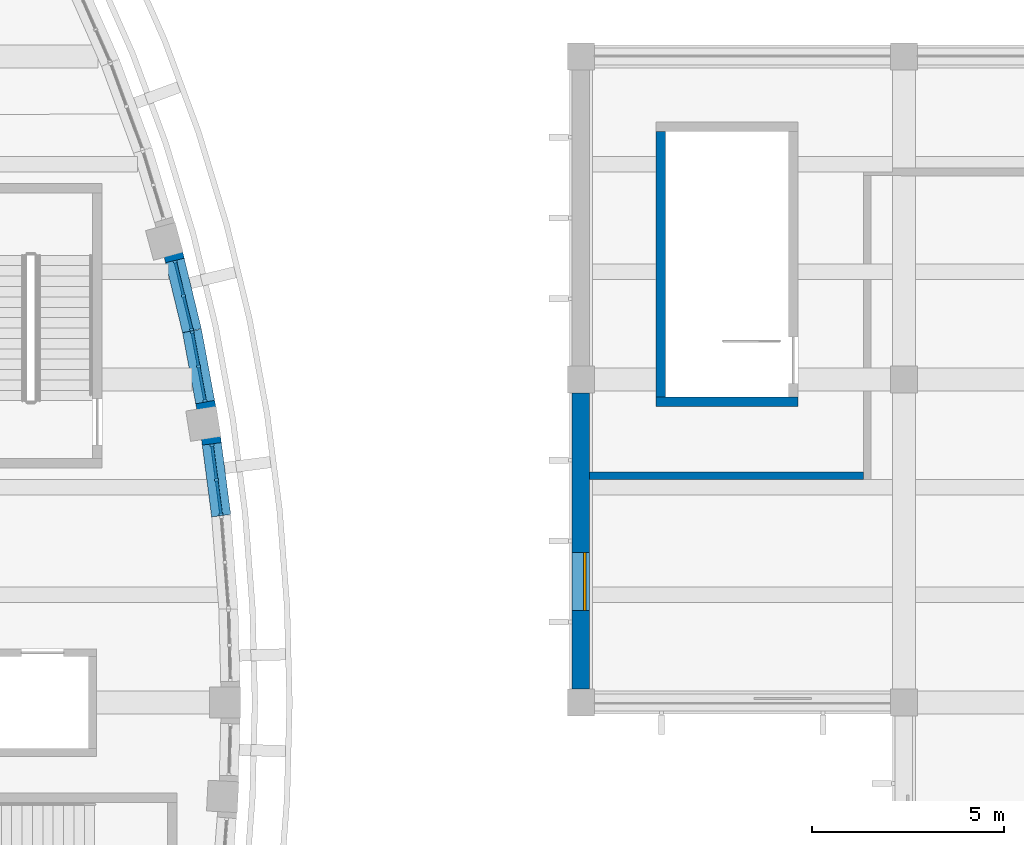
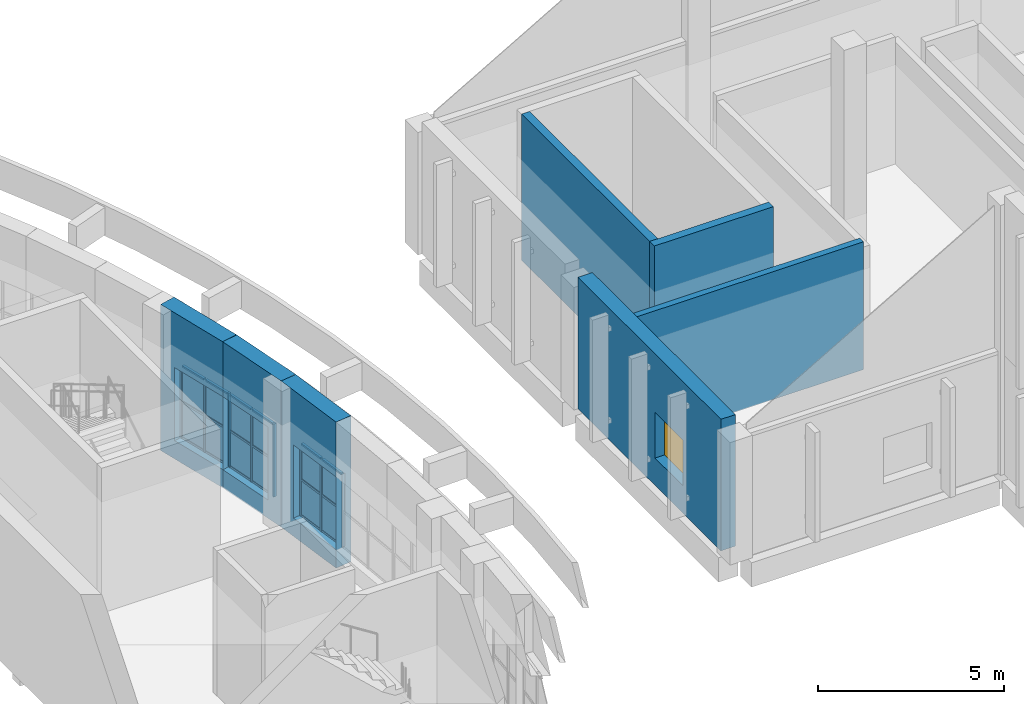
# One storey, part 43 of 79: 27 members, 12 plates, 7 walls, 1 window, 4 openings, 3 elements without a shape of their own.
"""IFC4 building model written with IfcOpenShell, lengths in metres."""

from ifc_helpers import new_model, si_unit, direction, frame, frame_2d, origin, origin_2d, place, context, subcontext, project, spatial, rectangle, extrude, material, layer, layer_set, material_profile, profile_set, type_object, element, fill, aggregate, save


model = new_model("IFC4")

# Units and contexts
model_context = context("Model", 3, precision=1e-05, world=origin(), true_north=direction((0.0, 1.0)))
body_context = subcontext(model_context, "Body", "Model", "MODEL_VIEW")
ifc_project = project(units=[si_unit("LENGTHUNIT", "METRE"), si_unit("AREAUNIT", "SQUARE_METRE"), si_unit("VOLUMEUNIT", "CUBIC_METRE"), si_unit("PLANEANGLEUNIT", "RADIAN"), si_unit("MASSUNIT", "GRAM", prefix="KILO")], contexts=[model_context])

# Site, building, storey
site_placement = place(None, origin())
site = spatial("IfcSite", under=ifc_project, at=site_placement, CompositionType="ELEMENT")
building_placement = place(site_placement, origin())
building = spatial("IfcBuilding", under=site, at=building_placement, Name="Larchfold Concert Hall", CompositionType="ELEMENT")
storey_placement = place(building_placement, frame((0.0, 0.0, 14.39990234375)))
storey = spatial("IfcBuildingStorey", under=building, at=storey_placement, Name="L03", CompositionType="ELEMENT", Elevation=14.39990234375)

# Curtain wall, members
ifc_material_1 = material(Name="Anodised graphite aluminium curtain wall", Category="aluminium")
ifc_layer_1 = layer(ifc_material_1, 0.10009765625)
ifc_layer_set_1 = layer_set([ifc_layer_1], Name="Anodised graphite aluminium curtain wall")
curtain_wall_type = type_object("IfcCurtainWallType", Name="Curtain wall GB", PredefinedType="NOTDEFINED", material=ifc_layer_set_1)
curtain_wall_1_placement = place(storey_placement, origin())
curtain_wall_1 = element("IfcCurtainWall", 1, at=curtain_wall_1_placement, inside=storey, type_object=curtain_wall_type, Name="Curtain wall CW0003", PredefinedType="NOTDEFINED")
ifc_material_2 = material(Name="Anodised graphite aluminium mullion", Category="aluminium")
ifc_material_profile_1 = material_profile(ifc_material_2, rectangle(XDim=0.10009765625, YDim=0.06005859375, at=origin_2d()))
ifc_profile_set_1 = profile_set([ifc_material_profile_1], Name="Anodised graphite aluminium mullion")
member_type_1 = type_object("IfcMemberType", Name="Aluminium mullion 60x100", PredefinedType="MULLION", material=ifc_profile_set_1)
member_1_placement = place(storey_placement, frame((66.8447265625, 89.489501953125, 0.60009765625), z_axis=(0.0, 0.0, 1.0), x_axis=(-0.991547567609, -0.129743674869, 0.0)))
member_1 = element("IfcMember", 2, at=member_1_placement, type_object=member_type_1, Name="CW0003 mullion 1", PredefinedType="MULLION", context=body_context, shape_type="SweptSolid", body=[
    extrude(rectangle(XDim=0.10009765625, YDim=0.06005859375, at=origin_2d()), origin(), (0.0, 0.0, 1.0), 2.39990234375),
])
member_2_placement = place(storey_placement, frame((66.7265625, 90.3935546875, 0.60009765625), z_axis=(0.0, 0.0, 1.0), x_axis=(-0.991547567609, -0.129743674869, 0.0)))
member_2 = element("IfcMember", 3, at=member_2_placement, type_object=member_type_1, Name="CW0003 mullion 2", PredefinedType="MULLION", context=body_context, shape_type="SweptSolid", body=[
    extrude(rectangle(XDim=0.10009765625, YDim=0.06005859375, at=origin_2d()), origin(), (0.0, 0.0, 1.0), 2.39990234375),
])
member_3_placement = place(storey_placement, frame((66.608154296875, 91.297607421875, 0.60009765625), z_axis=(0.0, 0.0, 1.0), x_axis=(-0.991547567609, -0.129743674869, 0.0)))
member_3 = element("IfcMember", 4, at=member_3_placement, type_object=member_type_1, Name="CW0003 mullion 3", PredefinedType="MULLION", context=body_context, shape_type="SweptSolid", body=[
    extrude(rectangle(XDim=0.10009765625, YDim=0.06005859375, at=origin_2d()), origin(), (0.0, 0.0, 1.0), 2.39990234375),
])

curtain_wall_2_placement = place(storey_placement, origin())
curtain_wall_2 = element("IfcCurtainWall", 5, at=curtain_wall_2_placement, inside=storey, type_object=curtain_wall_type, Name="Curtain wall CW0004", PredefinedType="NOTDEFINED")
member_4_placement = place(storey_placement, frame((66.42724609375, 92.443603515625, 0.60009765625), z_axis=(0.0, 0.0, 1.0), x_axis=(-0.983231256801, -0.18236308741, 0.0)))
member_4 = element("IfcMember", 6, at=member_4_placement, type_object=member_type_1, Name="CW0004 mullion 1", PredefinedType="MULLION", context=body_context, shape_type="SweptSolid", body=[
    extrude(rectangle(XDim=0.10009765625, YDim=0.06005859375, at=origin_2d()), origin(), (0.0, 0.0, 1.0), 2.39990234375),
])
member_5_placement = place(storey_placement, frame((66.260986328125, 93.340087890625, 0.60009765625), z_axis=(0.0, 0.0, 1.0), x_axis=(-0.983231256801, -0.18236308741, 0.0)))
member_5 = element("IfcMember", 7, at=member_5_placement, type_object=member_type_1, Name="CW0004 mullion 2", PredefinedType="MULLION", context=body_context, shape_type="SweptSolid", body=[
    extrude(rectangle(XDim=0.10009765625, YDim=0.06005859375, at=origin_2d()), origin(), (0.0, 0.0, 1.0), 2.39990234375),
])
member_6_placement = place(storey_placement, frame((66.094482421875, 94.236572265625, 0.60009765625), z_axis=(0.0, 0.0, 1.0), x_axis=(-0.983231256801, -0.18236308741, 0.0)))
member_6 = element("IfcMember", 8, at=member_6_placement, type_object=member_type_1, Name="CW0004 mullion 3", PredefinedType="MULLION", context=body_context, shape_type="SweptSolid", body=[
    extrude(rectangle(XDim=0.10009765625, YDim=0.06005859375, at=origin_2d()), origin(), (0.0, 0.0, 1.0), 2.39990234375),
])

curtain_wall_3_placement = place(storey_placement, origin())
curtain_wall_3 = element("IfcCurtainWall", 9, at=curtain_wall_3_placement, inside=storey, type_object=curtain_wall_type, Name="Curtain wall CW0005", PredefinedType="NOTDEFINED")
member_7_placement = place(storey_placement, frame((66.08203125, 94.295166015625, 0.60009765625), z_axis=(0.0, 0.0, 1.0), x_axis=(-0.971781721326, -0.235881932534, 0.0)))
member_7 = element("IfcMember", 10, at=member_7_placement, type_object=member_type_1, Name="CW0005 mullion 1", PredefinedType="MULLION", context=body_context, shape_type="SweptSolid", body=[
    extrude(rectangle(XDim=0.10009765625, YDim=0.06005859375, at=origin_2d()), origin(), (0.0, 0.0, 1.0), 2.39990234375),
])
member_8_placement = place(storey_placement, frame((65.866943359375, 95.181396484375, 0.60009765625), z_axis=(0.0, 0.0, 1.0), x_axis=(-0.971781721326, -0.235881932534, 0.0)))
member_8 = element("IfcMember", 11, at=member_8_placement, type_object=member_type_1, Name="CW0005 mullion 2", PredefinedType="MULLION", context=body_context, shape_type="SweptSolid", body=[
    extrude(rectangle(XDim=0.10009765625, YDim=0.06005859375, at=origin_2d()), origin(), (0.0, 0.0, 1.0), 2.39990234375),
])
member_9_placement = place(storey_placement, frame((65.65185546875, 96.067626953125, 0.60009765625), z_axis=(0.0, 0.0, 1.0), x_axis=(-0.971781721326, -0.235881932534, 0.0)))
member_9 = element("IfcMember", 12, at=member_9_placement, type_object=member_type_1, Name="CW0005 mullion 3", PredefinedType="MULLION", context=body_context, shape_type="SweptSolid", body=[
    extrude(rectangle(XDim=0.10009765625, YDim=0.06005859375, at=origin_2d()), origin(), (0.0, 0.0, 1.0), 2.39990234375),
])

# Member
ifc_material_3 = material(Name="Anodised graphite aluminium transom", Category="aluminium")
ifc_material_profile_2 = material_profile(ifc_material_3, rectangle(XDim=0.080078125, YDim=0.06005859375, at=origin_2d()))
ifc_profile_set_2 = profile_set([ifc_material_profile_2], Name="Anodised graphite aluminium transom")
member_type_2 = type_object("IfcMemberType", Name="Aluminium transom 60x80", PredefinedType="USERDEFINED", material=ifc_profile_set_2)
member_10_placement = place(storey_placement, frame((66.8408203125, 89.519287109375, 0.630126953125), z_axis=(-0.129853863511, 0.991533143234, 0.0), x_axis=(-0.991533143234, -0.129853863511, 0.0)))
member_10 = element("IfcMember", 13, at=member_10_placement, type_object=member_type_2, Name="CW0003 transom 1.1", ObjectType="TRANSOM", PredefinedType="USERDEFINED", context=body_context, shape_type="SweptSolid", body=[
    extrude(rectangle(XDim=0.080078125, YDim=0.06005859375, at=origin_2d()), origin(), (0.0, 0.0, 1.0), 0.851806640625),
])

member_11_placement = place(storey_placement, frame((66.8408203125, 89.519287109375, 1.800048828125), z_axis=(-0.129853863511, 0.991533143234, 0.0), x_axis=(-0.991533143234, -0.129853863511, 0.0)))
member_11 = element("IfcMember", 14, at=member_11_placement, type_object=member_type_2, Name="CW0003 transom 1.2", ObjectType="TRANSOM", PredefinedType="USERDEFINED", context=body_context, shape_type="SweptSolid", body=[
    extrude(rectangle(XDim=0.080078125, YDim=0.06005859375, at=origin_2d()), origin(), (0.0, 0.0, 1.0), 0.851806640625),
])

member_12_placement = place(storey_placement, frame((66.8408203125, 89.519287109375, 2.969970703125), z_axis=(-0.129853863511, 0.991533143234, 0.0), x_axis=(-0.991533143234, -0.129853863511, 0.0)))
member_12 = element("IfcMember", 15, at=member_12_placement, type_object=member_type_2, Name="CW0003 transom 1.3", ObjectType="TRANSOM", PredefinedType="USERDEFINED", context=body_context, shape_type="SweptSolid", body=[
    extrude(rectangle(XDim=0.080078125, YDim=0.06005859375, at=origin_2d()), origin(), (0.0, 0.0, 1.0), 0.851806640625),
])

member_13_placement = place(storey_placement, frame((66.72265625, 90.42333984375, 0.630126953125), z_axis=(-0.129853863511, 0.991533143234, 0.0), x_axis=(-0.991533143234, -0.129853863511, 0.0)))
member_13 = element("IfcMember", 16, at=member_13_placement, type_object=member_type_2, Name="CW0003 transom 2.1", ObjectType="TRANSOM", PredefinedType="USERDEFINED", context=body_context, shape_type="SweptSolid", body=[
    extrude(rectangle(XDim=0.080078125, YDim=0.06005859375, at=origin_2d()), origin(), (0.0, 0.0, 1.0), 0.851806640625),
])

member_14_placement = place(storey_placement, frame((66.72265625, 90.42333984375, 1.800048828125), z_axis=(-0.129853863511, 0.991533143234, 0.0), x_axis=(-0.991533143234, -0.129853863511, 0.0)))
member_14 = element("IfcMember", 17, at=member_14_placement, type_object=member_type_2, Name="CW0003 transom 2.2", ObjectType="TRANSOM", PredefinedType="USERDEFINED", context=body_context, shape_type="SweptSolid", body=[
    extrude(rectangle(XDim=0.080078125, YDim=0.06005859375, at=origin_2d()), origin(), (0.0, 0.0, 1.0), 0.851806640625),
])

member_15_placement = place(storey_placement, frame((66.72265625, 90.42333984375, 2.969970703125), z_axis=(-0.129853863511, 0.991533143234, 0.0), x_axis=(-0.991533143234, -0.129853863511, 0.0)))
member_15 = element("IfcMember", 18, at=member_15_placement, type_object=member_type_2, Name="CW0003 transom 2.3", ObjectType="TRANSOM", PredefinedType="USERDEFINED", context=body_context, shape_type="SweptSolid", body=[
    extrude(rectangle(XDim=0.080078125, YDim=0.06005859375, at=origin_2d()), origin(), (0.0, 0.0, 1.0), 0.851806640625),
])

member_16_placement = place(storey_placement, frame((66.421630859375, 92.47314453125, 0.630126953125), z_axis=(-0.182315084835, 0.983240158782, 0.0), x_axis=(-0.983240158782, -0.182315084835, 0.0)))
member_16 = element("IfcMember", 19, at=member_16_placement, type_object=member_type_2, Name="CW0004 transom 1.1", ObjectType="TRANSOM", PredefinedType="USERDEFINED", context=body_context, shape_type="SweptSolid", body=[
    extrude(rectangle(XDim=0.080078125, YDim=0.06005859375, at=origin_2d()), origin(), (0.0, 0.0, 1.0), 0.8515625),
])

member_17_placement = place(storey_placement, frame((66.421630859375, 92.47314453125, 1.800048828125), z_axis=(-0.182315084835, 0.983240158782, 0.0), x_axis=(-0.983240158782, -0.182315084835, 0.0)))
member_17 = element("IfcMember", 20, at=member_17_placement, type_object=member_type_2, Name="CW0004 transom 1.2", ObjectType="TRANSOM", PredefinedType="USERDEFINED", context=body_context, shape_type="SweptSolid", body=[
    extrude(rectangle(XDim=0.080078125, YDim=0.06005859375, at=origin_2d()), origin(), (0.0, 0.0, 1.0), 0.8515625),
])

member_18_placement = place(storey_placement, frame((66.421630859375, 92.47314453125, 2.969970703125), z_axis=(-0.182315084835, 0.983240158782, 0.0), x_axis=(-0.983240158782, -0.182315084835, 0.0)))
member_18 = element("IfcMember", 21, at=member_18_placement, type_object=member_type_2, Name="CW0004 transom 1.3", ObjectType="TRANSOM", PredefinedType="USERDEFINED", context=body_context, shape_type="SweptSolid", body=[
    extrude(rectangle(XDim=0.080078125, YDim=0.06005859375, at=origin_2d()), origin(), (0.0, 0.0, 1.0), 0.8515625),
])

member_19_placement = place(storey_placement, frame((66.25537109375, 93.36962890625, 0.630126953125), z_axis=(-0.182315084835, 0.983240158782, 0.0), x_axis=(-0.983240158782, -0.182315084835, 0.0)))
member_19 = element("IfcMember", 22, at=member_19_placement, type_object=member_type_2, Name="CW0004 transom 2.1", ObjectType="TRANSOM", PredefinedType="USERDEFINED", context=body_context, shape_type="SweptSolid", body=[
    extrude(rectangle(XDim=0.080078125, YDim=0.06005859375, at=origin_2d()), origin(), (0.0, 0.0, 1.0), 0.8515625),
])

member_20_placement = place(storey_placement, frame((66.25537109375, 93.36962890625, 1.800048828125), z_axis=(-0.182315084835, 0.983240158782, 0.0), x_axis=(-0.983240158782, -0.182315084835, 0.0)))
member_20 = element("IfcMember", 23, at=member_20_placement, type_object=member_type_2, Name="CW0004 transom 2.2", ObjectType="TRANSOM", PredefinedType="USERDEFINED", context=body_context, shape_type="SweptSolid", body=[
    extrude(rectangle(XDim=0.080078125, YDim=0.06005859375, at=origin_2d()), origin(), (0.0, 0.0, 1.0), 0.8515625),
])

member_21_placement = place(storey_placement, frame((66.25537109375, 93.36962890625, 2.969970703125), z_axis=(-0.182315084835, 0.983240158782, 0.0), x_axis=(-0.983240158782, -0.182315084835, 0.0)))
member_21 = element("IfcMember", 24, at=member_21_placement, type_object=member_type_2, Name="CW0004 transom 2.3", ObjectType="TRANSOM", PredefinedType="USERDEFINED", context=body_context, shape_type="SweptSolid", body=[
    extrude(rectangle(XDim=0.080078125, YDim=0.06005859375, at=origin_2d()), origin(), (0.0, 0.0, 1.0), 0.8515625),
])

member_22_placement = place(storey_placement, frame((66.074951171875, 94.324462890625, 0.630126953125), z_axis=(-0.235854284712, 0.971788431904, 0.0), x_axis=(-0.971788431904, -0.235854284712, 0.0)))
member_22 = element("IfcMember", 25, at=member_22_placement, type_object=member_type_2, Name="CW0005 transom 1.1", ObjectType="TRANSOM", PredefinedType="USERDEFINED", context=body_context, shape_type="SweptSolid", body=[
    extrude(rectangle(XDim=0.080078125, YDim=0.06005859375, at=origin_2d()), origin(), (0.0, 0.0, 1.0), 0.851806640625),
])

member_23_placement = place(storey_placement, frame((66.074951171875, 94.324462890625, 1.800048828125), z_axis=(-0.235854284712, 0.971788431904, 0.0), x_axis=(-0.971788431904, -0.235854284712, 0.0)))
member_23 = element("IfcMember", 26, at=member_23_placement, type_object=member_type_2, Name="CW0005 transom 1.2", ObjectType="TRANSOM", PredefinedType="USERDEFINED", context=body_context, shape_type="SweptSolid", body=[
    extrude(rectangle(XDim=0.080078125, YDim=0.06005859375, at=origin_2d()), origin(), (0.0, 0.0, 1.0), 0.851806640625),
])

member_24_placement = place(storey_placement, frame((66.074951171875, 94.324462890625, 2.969970703125), z_axis=(-0.235854284712, 0.971788431904, 0.0), x_axis=(-0.971788431904, -0.235854284712, 0.0)))
member_24 = element("IfcMember", 27, at=member_24_placement, type_object=member_type_2, Name="CW0005 transom 1.3", ObjectType="TRANSOM", PredefinedType="USERDEFINED", context=body_context, shape_type="SweptSolid", body=[
    extrude(rectangle(XDim=0.080078125, YDim=0.06005859375, at=origin_2d()), origin(), (0.0, 0.0, 1.0), 0.851806640625),
])

member_25_placement = place(storey_placement, frame((65.85986328125, 95.21044921875, 0.630126953125), z_axis=(-0.235854284712, 0.971788431904, 0.0), x_axis=(-0.971788431904, -0.235854284712, 0.0)))
member_25 = element("IfcMember", 28, at=member_25_placement, type_object=member_type_2, Name="CW0005 transom 2.1", ObjectType="TRANSOM", PredefinedType="USERDEFINED", context=body_context, shape_type="SweptSolid", body=[
    extrude(rectangle(XDim=0.080078125, YDim=0.06005859375, at=origin_2d()), origin(), (0.0, 0.0, 1.0), 0.851806640625),
])

member_26_placement = place(storey_placement, frame((65.85986328125, 95.21044921875, 1.800048828125), z_axis=(-0.235854284712, 0.971788431904, 0.0), x_axis=(-0.971788431904, -0.235854284712, 0.0)))
member_26 = element("IfcMember", 29, at=member_26_placement, type_object=member_type_2, Name="CW0005 transom 2.2", ObjectType="TRANSOM", PredefinedType="USERDEFINED", context=body_context, shape_type="SweptSolid", body=[
    extrude(rectangle(XDim=0.080078125, YDim=0.06005859375, at=origin_2d()), origin(), (0.0, 0.0, 1.0), 0.851806640625),
])

member_27_placement = place(storey_placement, frame((65.85986328125, 95.21044921875, 2.969970703125), z_axis=(-0.235854284712, 0.971788431904, 0.0), x_axis=(-0.971788431904, -0.235854284712, 0.0)))
member_27 = element("IfcMember", 30, at=member_27_placement, type_object=member_type_2, Name="CW0005 transom 2.3", ObjectType="TRANSOM", PredefinedType="USERDEFINED", context=body_context, shape_type="SweptSolid", body=[
    extrude(rectangle(XDim=0.080078125, YDim=0.06005859375, at=origin_2d()), origin(), (0.0, 0.0, 1.0), 0.851806640625),
])

# Plate
ifc_material_4 = material(Name="Insulated glazing unit, glass", Category="glass")
ifc_layer_2 = layer(ifc_material_4, 0.02392578125)
ifc_layer_set_2 = layer_set([ifc_layer_2], Name="Insulated glazing unit, glass")
plate_type_1 = type_object("IfcPlateType", Name="Glass panel 24", PredefinedType="CURTAIN_PANEL", material=ifc_layer_set_2)
plate_1_placement = place(storey_placement, frame((66.78564453125, 89.94140625, 1.830078125), z_axis=(0.0, 0.0, 1.0), x_axis=(-0.129743674869, 0.991547567609, 0.0)))
plate_1 = element("IfcPlate", 31, at=plate_1_placement, type_object=plate_type_1, Name="CW0003 panel 1.2", PredefinedType="CURTAIN_PANEL", context=body_context, shape_type="SweptSolid", body=[
    extrude(rectangle(XDim=0.851806640625, YDim=0.02392578125, at=origin_2d()), origin(), (0.0, 0.0, 1.0), 1.10986328125),
])

plate_2_placement = place(storey_placement, frame((66.667236328125, 90.845703125, 1.830078125), z_axis=(0.0, 0.0, 1.0), x_axis=(-0.129743674869, 0.991547567609, 0.0)))
plate_2 = element("IfcPlate", 32, at=plate_2_placement, type_object=plate_type_1, Name="CW0003 panel 2.2", PredefinedType="CURTAIN_PANEL", context=body_context, shape_type="SweptSolid", body=[
    extrude(rectangle(XDim=0.851806640625, YDim=0.02392578125, at=origin_2d()), origin(), (0.0, 0.0, 1.0), 1.10986328125),
])

plate_3_placement = place(storey_placement, frame((66.343994140625, 92.891845703125, 1.830078125), z_axis=(0.0, 0.0, 1.0), x_axis=(-0.18236308741, 0.983231256801, 0.0)))
plate_3 = element("IfcPlate", 33, at=plate_3_placement, type_object=plate_type_1, Name="CW0004 panel 1.2", PredefinedType="CURTAIN_PANEL", context=body_context, shape_type="SweptSolid", body=[
    extrude(rectangle(XDim=0.851806640625, YDim=0.02392578125, at=origin_2d()), origin(), (0.0, 0.0, 1.0), 1.10986328125),
])

plate_4_placement = place(storey_placement, frame((66.177734375, 93.788330078125, 1.830078125), z_axis=(0.0, 0.0, 1.0), x_axis=(-0.18236308741, 0.983231256801, 0.0)))
plate_4 = element("IfcPlate", 34, at=plate_4_placement, type_object=plate_type_1, Name="CW0004 panel 2.2", PredefinedType="CURTAIN_PANEL", context=body_context, shape_type="SweptSolid", body=[
    extrude(rectangle(XDim=0.851806640625, YDim=0.02392578125, at=origin_2d()), origin(), (0.0, 0.0, 1.0), 1.10986328125),
])

plate_5_placement = place(storey_placement, frame((65.974609375, 94.73828125, 1.830078125), z_axis=(0.0, 0.0, 1.0), x_axis=(-0.235881932534, 0.971781721326, 0.0)))
plate_5 = element("IfcPlate", 35, at=plate_5_placement, type_object=plate_type_1, Name="CW0005 panel 1.2", PredefinedType="CURTAIN_PANEL", context=body_context, shape_type="SweptSolid", body=[
    extrude(rectangle(XDim=0.851806640625, YDim=0.02392578125, at=origin_2d()), origin(), (0.0, 0.0, 1.0), 1.10986328125),
])

plate_6_placement = place(storey_placement, frame((65.75927734375, 95.62451171875, 1.830078125), z_axis=(0.0, 0.0, 1.0), x_axis=(-0.235881932534, 0.971781721326, 0.0)))
plate_6 = element("IfcPlate", 36, at=plate_6_placement, type_object=plate_type_1, Name="CW0005 panel 2.2", PredefinedType="CURTAIN_PANEL", context=body_context, shape_type="SweptSolid", body=[
    extrude(rectangle(XDim=0.851806640625, YDim=0.02392578125, at=origin_2d()), origin(), (0.0, 0.0, 1.0), 1.10986328125),
])

ifc_material_5 = material(Name="White insulated panel")
ifc_layer_3 = layer(ifc_material_5, 0.050048828125)
ifc_layer_set_3 = layer_set([ifc_layer_3], Name="White insulated panel")
plate_type_2 = type_object("IfcPlateType", Name="Insulated spandrel panel 50", PredefinedType="CURTAIN_PANEL", material=ifc_layer_set_3)
plate_7_placement = place(storey_placement, frame((66.78564453125, 89.94140625, 0.66015625), z_axis=(0.0, 0.0, 1.0), x_axis=(-0.129743674869, 0.991547567609, 0.0)))
plate_7 = element("IfcPlate", 37, at=plate_7_placement, type_object=plate_type_2, Name="CW0003 panel 1.1", PredefinedType="CURTAIN_PANEL", context=body_context, shape_type="SweptSolid", body=[
    extrude(rectangle(XDim=0.851806640625, YDim=0.050048828125, at=origin_2d()), origin(), (0.0, 0.0, 1.0), 1.10986328125),
])

plate_8_placement = place(storey_placement, frame((66.667236328125, 90.845703125, 0.66015625), z_axis=(0.0, 0.0, 1.0), x_axis=(-0.129743674869, 0.991547567609, 0.0)))
plate_8 = element("IfcPlate", 38, at=plate_8_placement, type_object=plate_type_2, Name="CW0003 panel 2.1", PredefinedType="CURTAIN_PANEL", context=body_context, shape_type="SweptSolid", body=[
    extrude(rectangle(XDim=0.851806640625, YDim=0.050048828125, at=origin_2d()), origin(), (0.0, 0.0, 1.0), 1.10986328125),
])

aggregate(curtain_wall_1, [member_1, member_2, member_3, member_10, member_11, member_12, plate_7, plate_1, member_13, member_14, member_15, plate_8, plate_2])

plate_9_placement = place(storey_placement, frame((66.343994140625, 92.891845703125, 0.66015625), z_axis=(0.0, 0.0, 1.0), x_axis=(-0.18236308741, 0.983231256801, 0.0)))
plate_9 = element("IfcPlate", 39, at=plate_9_placement, type_object=plate_type_2, Name="CW0004 panel 1.1", PredefinedType="CURTAIN_PANEL", context=body_context, shape_type="SweptSolid", body=[
    extrude(rectangle(XDim=0.851806640625, YDim=0.050048828125, at=origin_2d()), origin(), (0.0, 0.0, 1.0), 1.10986328125),
])

plate_10_placement = place(storey_placement, frame((66.177734375, 93.788330078125, 0.66015625), z_axis=(0.0, 0.0, 1.0), x_axis=(-0.18236308741, 0.983231256801, 0.0)))
plate_10 = element("IfcPlate", 40, at=plate_10_placement, type_object=plate_type_2, Name="CW0004 panel 2.1", PredefinedType="CURTAIN_PANEL", context=body_context, shape_type="SweptSolid", body=[
    extrude(rectangle(XDim=0.851806640625, YDim=0.050048828125, at=origin_2d()), origin(), (0.0, 0.0, 1.0), 1.10986328125),
])

aggregate(curtain_wall_2, [member_4, member_5, member_6, member_16, member_17, member_18, plate_9, plate_3, member_19, member_20, member_21, plate_10, plate_4])

plate_11_placement = place(storey_placement, frame((65.974609375, 94.73828125, 0.66015625), z_axis=(0.0, 0.0, 1.0), x_axis=(-0.235881932534, 0.971781721326, 0.0)))
plate_11 = element("IfcPlate", 41, at=plate_11_placement, type_object=plate_type_2, Name="CW0005 panel 1.1", PredefinedType="CURTAIN_PANEL", context=body_context, shape_type="SweptSolid", body=[
    extrude(rectangle(XDim=0.851806640625, YDim=0.050048828125, at=origin_2d()), origin(), (0.0, 0.0, 1.0), 1.10986328125),
])

plate_12_placement = place(storey_placement, frame((65.75927734375, 95.62451171875, 0.66015625), z_axis=(0.0, 0.0, 1.0), x_axis=(-0.235881932534, 0.971781721326, 0.0)))
plate_12 = element("IfcPlate", 42, at=plate_12_placement, type_object=plate_type_2, Name="CW0005 panel 2.1", PredefinedType="CURTAIN_PANEL", context=body_context, shape_type="SweptSolid", body=[
    extrude(rectangle(XDim=0.851806640625, YDim=0.050048828125, at=origin_2d()), origin(), (0.0, 0.0, 1.0), 1.10986328125),
])

aggregate(curtain_wall_3, [member_7, member_8, member_9, member_22, member_23, member_24, plate_11, plate_5, member_25, member_26, member_27, plate_12, plate_6])

# Wall
ifc_material_6 = material(Name="Plasterboard partition on steel studs", Category="steel")
ifc_layer_4 = layer(ifc_material_6, 0.199951171875)
ifc_layer_set_4 = layer_set([ifc_layer_4], Name="Plasterboard partition on steel studs")
wall_type_1 = type_object("IfcWallType", Name="Acoustic partition 200", PredefinedType="PARTITIONING", material=ifc_layer_set_4)
wall_1_placement = place(storey_placement, frame((83.549072265625, 90.5009765625, 0.0), z_axis=(0.0, 0.0, 1.0), x_axis=(-1.0, 0.0, 0.0)))
element("IfcWall", 43, at=wall_1_placement, inside=storey, type_object=wall_type_1, Name="Partition IW0059", PredefinedType="PARTITIONING", context=body_context, shape_type="SweptSolid", body=[
    extrude(rectangle(XDim=7.1240234375, YDim=0.199951171875, at=frame_2d((3.56201171875, 0.0))), origin(), (0.0, 0.0, 1.0), 4.2001953125),
])

# Wall, opening, window
ifc_material_7 = material(Name="Charred larch cladding on mineral wool and CLT", Category="wood")
ifc_layer_5 = layer(ifc_material_7, 0.449951171875)
ifc_layer_set_5 = layer_set([ifc_layer_5], Name="Charred larch cladding on mineral wool and CLT")
wall_type_2 = type_object("IfcWallType", Name="Charred larch infill wall 450", PredefinedType="SOLIDWALL", material=ifc_layer_set_5)
wall_2_placement = place(storey_placement, frame((76.199951171875, 92.64990234375, 0.0), z_axis=(0.0, 0.0, 1.0), x_axis=(0.0, -1.0, 0.0)))
wall_2 = element("IfcWall", 44, at=wall_2_placement, inside=storey, type_object=wall_type_2, Name="Infill wall W5100", PredefinedType="SOLIDWALL", context=body_context, shape_type="SweptSolid", body=[
    extrude(rectangle(XDim=7.69970703125, YDim=0.449951171875, at=frame_2d((3.849853515625, 0.0))), origin(), (0.0, 0.0, 1.0), 4.32470703125),
])
opening_1_placement = place(wall_2_placement, frame((4.14990234375, 0.0, 0.89990234375)))
opening_1 = element("IfcOpeningElement", 45, at=opening_1_placement, cuts=wall_2, Name="Opening WN-L03-054", PredefinedType="OPENING", context=body_context, shape_type="SweptSolid", body=[
    extrude(rectangle(XDim=1.5, YDim=1.5, at=frame_2d((0.75, 0.75))), frame((0.0, 0.23486328125, 0.0), z_axis=(0.0, -1.0, 0.0), x_axis=(1.0, 0.0, 0.0)), (0.0, 0.0, 1.0), 0.469970703125),
])
ifc_material_8 = material(Name="Anodised graphite aluminium frame with glass", Category="aluminium")
window_type = type_object("IfcWindowType", Name="Studio window 1500x1500", PartitioningType="DOUBLE_PANEL_VERTICAL", PredefinedType="WINDOW", material=ifc_material_8)
window_placement = place(opening_1_placement, origin())
window = element("IfcWindow", 46, at=window_placement, inside=storey, type_object=window_type, Name="Window WN-L03-054", OverallHeight=1.5, OverallWidth=1.5, PartitioningType="DOUBLE_PANEL_VERTICAL", PredefinedType="WINDOW", context=body_context, shape_type="SweptSolid", body=[
    extrude(rectangle(XDim=1.5, YDim=1.5, at=frame_2d((0.75, 0.75))), frame((0.0, 0.135009765625, 0.0), z_axis=(0.0, -1.0, 0.0), x_axis=(1.0, 0.0, 0.0)), (0.0, 0.0, 1.0), 0.06005859375),
])
fill(opening_1, window)

# Walls
ifc_material_9 = material(Name="Concrete C40/50", Category="concrete")
ifc_layer_6 = layer(ifc_material_9, 0.25)
ifc_layer_set_6 = layer_set([ifc_layer_6], Name="Concrete C40/50")
wall_type_3 = type_object("IfcWallType", Name="Wall RC 250 stair core", PredefinedType="SOLIDWALL", material=ifc_layer_set_6)
wall_3_placement = place(storey_placement, frame((78.14990234375, 92.425048828125, 0.0), z_axis=(0.0, 0.0, 1.0), x_axis=(1.0, 0.0, 0.0)))
element("IfcWall", 47, at=wall_3_placement, inside=storey, type_object=wall_type_3, Name="Wall W0094", PredefinedType="SOLIDWALL", context=body_context, shape_type="SweptSolid", body=[
    extrude(rectangle(XDim=3.7001953125, YDim=0.25, at=frame_2d((1.85009765625, 0.0))), origin(), (0.0, 0.0, 1.0), 4.800048828125),
])
wall_4_placement = place(storey_placement, frame((78.27490234375, 92.550048828125, 0.0), z_axis=(0.0, 0.0, 1.0), x_axis=(0.0, 1.0, 0.0)))
element("IfcWall", 48, at=wall_4_placement, inside=storey, type_object=wall_type_3, Name="Wall W0096", PredefinedType="SOLIDWALL", context=body_context, shape_type="SweptSolid", body=[
    extrude(rectangle(XDim=6.89990234375, YDim=0.25, at=frame_2d((3.449951171875, 0.0))), origin(), (0.0, 0.0, 1.0), 4.800048828125),
])

# Wall, opening
ifc_material_10 = material(Name="Concrete C30/37", Category="concrete")
ifc_layer_7 = layer(ifc_material_10, 0.5)
ifc_layer_set_7 = layer_set([ifc_layer_7], Name="Concrete C30/37")
wall_type_4 = type_object("IfcWallType", Name="Wall RC 500 drum facade", PredefinedType="SOLIDWALL", material=ifc_layer_set_7)
wall_5_placement = place(storey_placement, frame((66.8486328125, 89.459716796875, 0.0), z_axis=(0.0, 0.0, 1.0), x_axis=(-0.129699392582, 0.991553360926, 0.0)))
wall_5 = element("IfcWall", 49, at=wall_5_placement, inside=storey, type_object=wall_type_4, Name="Wall DW003", PredefinedType="SOLIDWALL", context=body_context, shape_type="SweptSolid", body=[
    extrude(rectangle(XDim=2.433837890625, YDim=0.5, at=frame_2d((1.216796875, 0.0))), origin(), (0.0, 0.0, 1.0), 4.800048828125),
])
opening_2_placement = place(wall_5_placement, frame((0.0, 0.0, 0.60009765625)))
opening_2 = element("IfcOpeningElement", 50, at=opening_2_placement, cuts=wall_5, Name="Opening CW0003", PredefinedType="OPENING", context=body_context, shape_type="SweptSolid", body=[
    extrude(rectangle(XDim=1.883544921875, YDim=2.39990234375, at=frame_2d((0.94189453125, 1.199951171875))), frame((0.0, 0.260009765625, 0.0), z_axis=(0.0, -1.0, 0.0), x_axis=(1.0, 0.0, 0.0)), (0.0, 0.0, 1.0), 0.52001953125),
])

fill(opening_2, curtain_wall_1)

wall_6_placement = place(storey_placement, frame((66.532958984375, 91.873046875, 0.0), z_axis=(0.0, 0.0, 1.0), x_axis=(-0.182362243365, 0.983231413348, 0.0)))
wall_6 = element("IfcWall", 51, at=wall_6_placement, inside=storey, type_object=wall_type_4, Name="Wall DW004", PredefinedType="SOLIDWALL", context=body_context, shape_type="SweptSolid", body=[
    extrude(rectangle(XDim=2.433837890625, YDim=0.5, at=frame_2d((1.216796875, 0.0))), origin(), (0.0, 0.0, 1.0), 4.800048828125),
])
opening_3_placement = place(wall_6_placement, frame((0.55029296875, 0.0, 0.60009765625)))
opening_3 = element("IfcOpeningElement", 52, at=opening_3_placement, cuts=wall_6, Name="Opening CW0004", PredefinedType="OPENING", context=body_context, shape_type="SweptSolid", body=[
    extrude(rectangle(XDim=1.883544921875, YDim=2.39990234375, at=frame_2d((0.94189453125, 1.199951171875))), frame((0.0, 0.260009765625, 0.0), z_axis=(0.0, -1.0, 0.0), x_axis=(1.0, 0.0, 0.0)), (0.0, 0.0, 1.0), 0.52001953125),
])

fill(opening_3, curtain_wall_2)

wall_7_placement = place(storey_placement, frame((66.089111328125, 94.26611328125, 0.0), z_axis=(0.0, 0.0, 1.0), x_axis=(-0.235921551206, 0.971772103776, 0.0)))
wall_7 = element("IfcWall", 53, at=wall_7_placement, inside=storey, type_object=wall_type_4, Name="Wall DW005", PredefinedType="SOLIDWALL", context=body_context, shape_type="SweptSolid", body=[
    extrude(rectangle(XDim=2.433837890625, YDim=0.5, at=frame_2d((1.216796875, 0.0))), origin(), (0.0, 0.0, 1.0), 4.800048828125),
])
opening_4_placement = place(wall_7_placement, frame((0.0, 0.0, 0.60009765625)))
opening_4 = element("IfcOpeningElement", 54, at=opening_4_placement, cuts=wall_7, Name="Opening CW0005", PredefinedType="OPENING", context=body_context, shape_type="SweptSolid", body=[
    extrude(rectangle(XDim=1.8837890625, YDim=2.39990234375, at=frame_2d((0.94189453125, 1.199951171875))), frame((0.0, 0.260009765625, 0.0), z_axis=(0.0, -1.0, 0.0), x_axis=(1.0, 0.0, 0.0)), (0.0, 0.0, 1.0), 0.52001953125),
])

fill(opening_4, curtain_wall_3)

save(model, "model.ifc")
